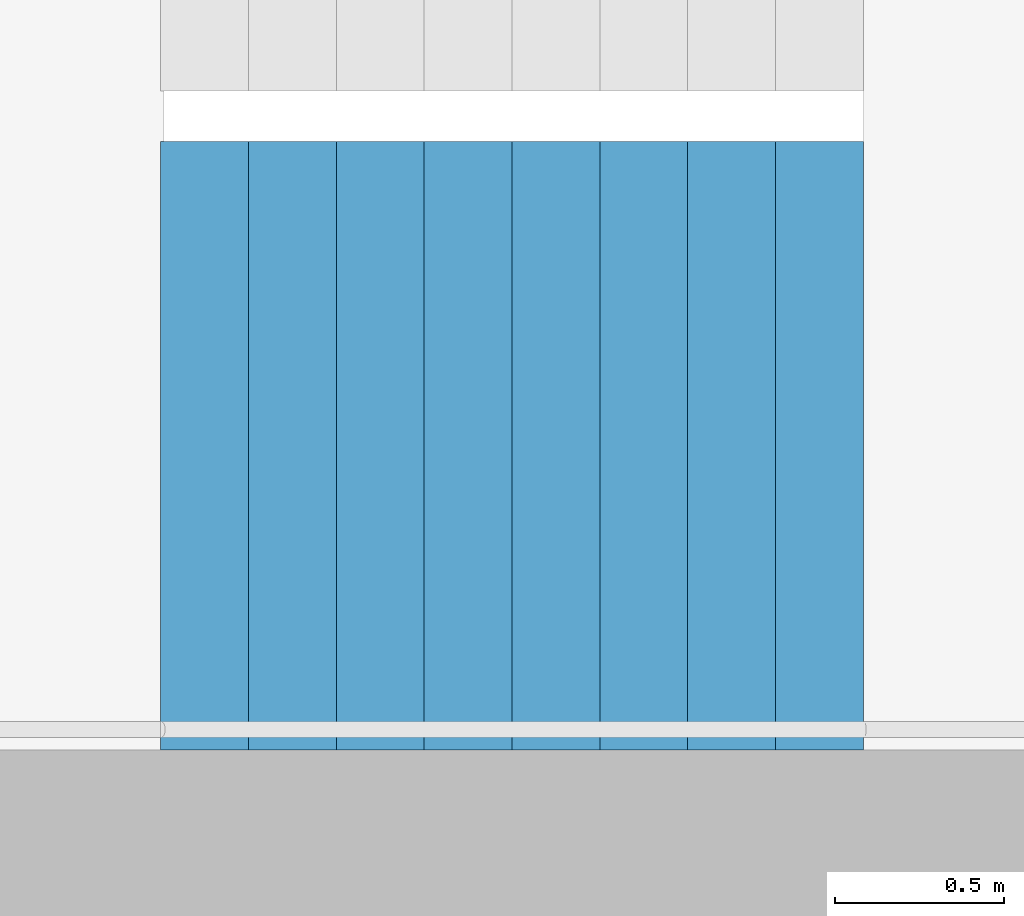
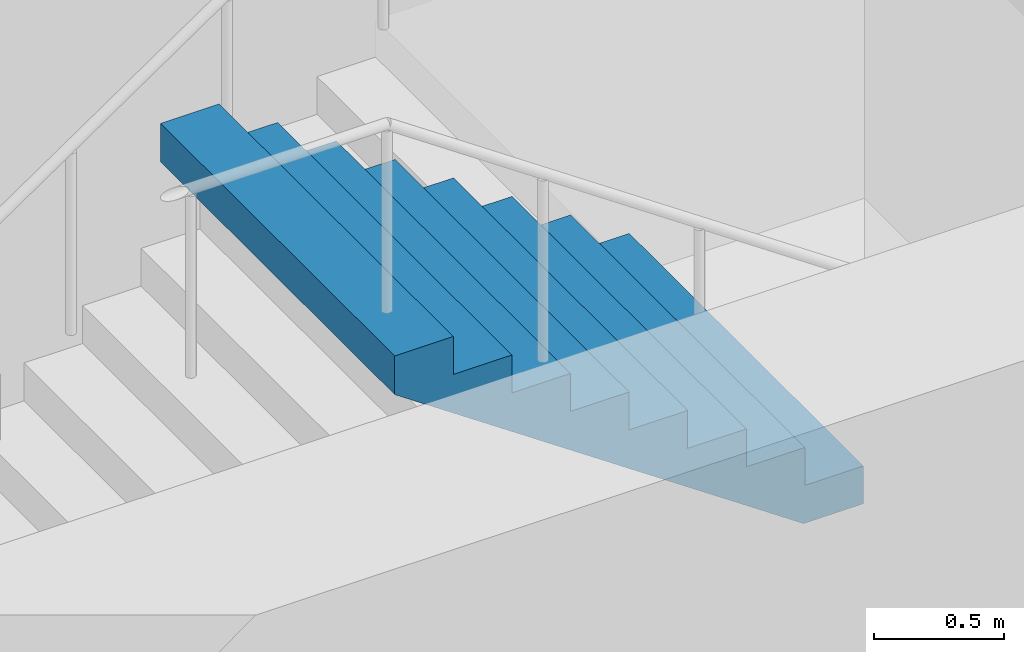
# One storey, part 22 of 30: 1 stair flight, 1 element without a shape of its own.
"""IFC4 building model written with IfcOpenShell, lengths in metres."""

import ifcopenshell
import ifcopenshell.guid

model = None  # the IFC model being written
_history = None  # IfcOwnerHistory: only IFC2X3 demands one
_inside = {}  # id of a spatial element -> (the spatial element, [elements in it])
_under = {}  # id of a project, library or spatial element -> (it, [spatial elements below it])
_declared = {}  # id of a project -> (the project, [libraries it declares])
_typed = {}  # id of a type object -> (the type object, [elements of that type])
_made_of = {}  # id of a material, layer set ... -> (it, [elements and type objects made of it])


def new_model(schema):
    """Start an empty IFC model of exactly this schema.

    Asked for "IFC4X3", IfcOpenShell would pick the latest addendum, in which some entities
    have other attributes; the version numbers below select the first issue.
    IFC2X3 requires an IfcOwnerHistory on every rooted entity: one is made here for all.
    """
    global model, _history
    if schema == "IFC4X3":
        model = ifcopenshell.file(schema_version=(4, 3, 0, 0))
    else:
        model = ifcopenshell.file(schema=schema)
    _inside.clear()
    _under.clear()
    _declared.clear()
    _typed.clear()
    _made_of.clear()
    _history = None
    if model.schema == "IFC2X3":
        org = make("IfcOrganization", Name="unknown")
        user = make(
            "IfcPersonAndOrganization",
            ThePerson=make("IfcPerson", FamilyName="unknown"),
            TheOrganization=org,
        )
        app = make(
            "IfcApplication",
            ApplicationDeveloper=org,
            Version="unknown",
            ApplicationFullName="unknown",
            ApplicationIdentifier="unknown",
        )
        _history = make(
            "IfcOwnerHistory",
            OwningUser=user,
            OwningApplication=app,
            ChangeAction="ADDED",
            CreationDate=0,
        )
    return model


def make(cls, **values):
    """One entity of the class cls with the attributes given. An attribute that is None is left unset."""
    return model.create_entity(
        cls, **{name: value for name, value in values.items() if value is not None}
    )


def rooted(cls, **values):
    """An entity with a GlobalId (a new one), such as an element, a storey or a relation."""
    return make(cls, GlobalId=ifcopenshell.guid.new(), OwnerHistory=_history, **values)


def si_unit(unit_type, name, prefix=None):
    """IfcSIUnit, for example si_unit("LENGTHUNIT", "METRE", prefix="MILLI")."""
    return make("IfcSIUnit", UnitType=unit_type, Prefix=prefix, Name=name)


def assignment(units):
    """IfcUnitAssignment: the units of a project."""
    return None if units is None else make("IfcUnitAssignment", Units=units)


def point(xyz):
    """IfcCartesianPoint."""
    return None if xyz is None else make("IfcCartesianPoint", Coordinates=xyz)


def direction(xyz):
    """IfcDirection."""
    return None if xyz is None else make("IfcDirection", DirectionRatios=xyz)


def frame(location, z_axis=None, x_axis=None):
    """IfcAxis2Placement3D, a coordinate frame: its origin and axes. An axis left out is left unset."""
    return make(
        "IfcAxis2Placement3D",
        Location=point(location),
        Axis=direction(z_axis),
        RefDirection=direction(x_axis),
    )


def origin():
    """The frame at (0, 0, 0) with its axes left unset."""
    return frame((0.0, 0.0, 0.0))


def place(relative_to, where):
    """IfcLocalPlacement: puts the frame where relative to a parent placement (None: the world)."""
    return make(
        "IfcLocalPlacement", PlacementRelTo=relative_to, RelativePlacement=where
    )


def context(
    kind, dimensions, precision=None, world=None, true_north=None, identifier=None
):
    """IfcGeometricRepresentationContext, for example the 3D "Model" context."""
    return make(
        "IfcGeometricRepresentationContext",
        ContextIdentifier=identifier,
        ContextType=kind,
        CoordinateSpaceDimension=dimensions,
        Precision=precision,
        WorldCoordinateSystem=world,
        TrueNorth=true_north,
    )


def subcontext(parent, identifier, kind, view, scale=None):
    """IfcGeometricRepresentationSubContext, for example "Body" below "Model"."""
    return make(
        "IfcGeometricRepresentationSubContext",
        ContextIdentifier=identifier,
        ContextType=kind,
        ParentContext=parent,
        TargetScale=scale,
        TargetView=view,
    )


def project(units=None, contexts=None):
    """IfcProject with its units and contexts."""
    return rooted(
        "IfcProject",
        Name="project",
        RepresentationContexts=contexts,
        UnitsInContext=assignment(units),
    )


def spatial(cls, under=None, at=None, **own):
    """A site, building, storey or space (cls), placed at a placement, below another one or the project."""
    s = rooted(cls, ObjectPlacement=at, **own)
    if under is not None:
        _under.setdefault(under.id(), (under, []))[1].append(s)
    return s


def point_list(points):
    """IfcCartesianPointList2D or 3D."""
    cls = (
        "IfcCartesianPointList2D" if len(points[0]) == 2 else "IfcCartesianPointList3D"
    )
    return make(cls, CoordList=points)


def triangles(points, corners, closed=None, point_numbers=None):
    """IfcTriangulatedFaceSet: each triangle names its three corners, points numbered from 1."""
    return make(
        "IfcTriangulatedFaceSet",
        Coordinates=point_list(points),
        Closed=closed,
        CoordIndex=corners,
        PnIndex=point_numbers,
    )


def shape(context_of_items, identifier, shape_type, items):
    """IfcShapeRepresentation: the items that make up one representation, for example the "Body"."""
    return make(
        "IfcShapeRepresentation",
        ContextOfItems=context_of_items,
        RepresentationIdentifier=identifier,
        RepresentationType=shape_type,
        Items=items,
    )


def material(Name=None, Category=None):
    """IfcMaterial."""
    return make("IfcMaterial", Name=Name, Category=Category)


def made_of(thing, what):
    """Note that an element or type object is made of a material, layer set ...; save() writes the relation."""
    if what is not None:
        _made_of.setdefault(what.id(), (what, []))[1].append(thing)
    return thing


def type_object(cls, material=None, **own):
    """A type object (cls), such as IfcWallType, which elements share."""
    return made_of(rooted(cls, **own), material)


def element(
    cls,
    number,
    at=None,
    inside=None,
    cuts=None,
    type_object=None,
    material=None,
    context=None,
    identifier="Body",
    shape_type=None,
    held_by="IfcProductDefinitionShape",
    body=None,
    shapes=None,
    **own,
):
    """One element of the class cls, such as IfcWall. Its Tag is "e" and its number.

    at: its placement. inside: the storey or other place that contains it. cuts: it is an
    opening in that element (IfcRelVoidsElement). A single representation is given by context,
    identifier, shape_type and body (its items); several are given by shapes. held_by: the class
    of the entity that holds the representations. save() writes the other relations.
    """
    e = rooted(cls, Tag="e%d" % number, ObjectPlacement=at, **own)
    if body is not None:
        shapes = [shape(context, identifier, shape_type, body)]
    if shapes is not None:
        e.Representation = make(held_by, Representations=shapes)
    if inside is not None:
        _inside.setdefault(inside.id(), (inside, []))[1].append(e)
    if cuts is not None:
        rooted(
            "IfcRelVoidsElement", RelatingBuildingElement=cuts, RelatedOpeningElement=e
        )
    if type_object is not None:
        _typed.setdefault(type_object.id(), (type_object, []))[1].append(e)
    return made_of(e, material)


def aggregate(whole, parts):
    """IfcRelAggregates: a whole, such as a stair, and the parts it consists of."""
    return rooted("IfcRelAggregates", RelatingObject=whole, RelatedObjects=parts)


def save(model, path):
    """Write the relations noted so far, then the file.

    IfcRelAggregates (storeys below a building ...), IfcRelContainedInSpatialStructure (elements
    in a storey), IfcRelDefinesByType, IfcRelAssociatesMaterial and IfcRelDeclares: one each for
    every whole, place, type object, material and project.
    """
    for whole, parts in _under.values():
        aggregate(whole, parts)
    for where, things in _inside.values():
        rooted(
            "IfcRelContainedInSpatialStructure",
            RelatedElements=things,
            RelatingStructure=where,
        )
    for kind, things in _typed.values():
        rooted("IfcRelDefinesByType", RelatedObjects=things, RelatingType=kind)
    for what, things in _made_of.values():
        rooted("IfcRelAssociatesMaterial", RelatedObjects=things, RelatingMaterial=what)
    for by, libraries in _declared.values():
        rooted("IfcRelDeclares", RelatingContext=by, RelatedDefinitions=libraries)
    model.write(path)


model = new_model("IFC4")

# Units and contexts
model_context = context("Model", 3, precision=1e-05, world=origin(), true_north=direction((0.0, 1.0)))
body_context = subcontext(model_context, "Body", "Model", "MODEL_VIEW")
ifc_project = project(units=[si_unit("LENGTHUNIT", "METRE"), si_unit("AREAUNIT", "SQUARE_METRE"), si_unit("VOLUMEUNIT", "CUBIC_METRE"), si_unit("PLANEANGLEUNIT", "RADIAN"), si_unit("MASSUNIT", "GRAM", prefix="KILO")], contexts=[model_context])

# Site, building, storey
site_placement = place(None, origin())
site = spatial("IfcSite", under=ifc_project, at=site_placement, CompositionType="ELEMENT")
building_placement = place(site_placement, origin())
building = spatial("IfcBuilding", under=site, at=building_placement, Name="Hakoniwa Tower and Hamabe Station Hall", CompositionType="ELEMENT")
storey_placement = place(building_placement, frame((0.0, 0.0, 245.39990234375)))
storey = spatial("IfcBuildingStorey", under=building, at=storey_placement, Name="L69", CompositionType="ELEMENT", Elevation=245.39990234375)

# Stair, stair flight
ifc_material_1 = material(Name="Concrete C40", Category="concrete")
stair_type = type_object("IfcStairType", Name="ESCAPE STAIR 1800", PredefinedType="HALF_TURN_STAIR", material=ifc_material_1)
stair_placement = place(storey_placement, origin())
stair = element("IfcStair", 1, at=stair_placement, inside=storey, type_object=stair_type, Name="Escape stair ST-4 L69", PredefinedType="HALF_TURN_STAIR")
ifc_material_2 = material(Name="Concrete C40", Category="concrete")
stair_flight_type = type_object("IfcStairFlightType", Name="STAIR FLIGHT 1800", PredefinedType="STRAIGHT", material=ifc_material_2)
stair_flight_placement = place(storey_placement, frame((25.47998046875, -6.60009765625, 1.60009765625), z_axis=(0.0, 0.0, 1.0), x_axis=(-1.0, 0.0, 0.0)))
stair_flight = element("IfcStairFlight", 2, at=stair_flight_placement, type_object=stair_flight_type, Name="ST-4 flight 2", NumberOfRisers=9, NumberOfTreads=8, PredefinedType="STRAIGHT", RiserHeight=0.177777778, TreadLength=0.26, context=body_context, shape_type="Tessellation", body=[
    triangles([(0.0, 0.89990234375, 0.0), (0.260009765625, 0.89990234375, 0.0), (0.265625, 0.89990234375, 0.0), (0.52001953125, 0.89990234375, 0.174072265625), (0.780029296875, 0.89990234375, 0.351806640625), (1.0400390625, 0.89990234375, 0.529541015625), (1.300048828125, 0.89990234375, 0.707275390625), (1.56005859375, 0.89990234375, 0.885009765625), (1.820068359375, 0.89990234375, 1.062744140625), (2.080078125, 0.89990234375, 1.24072265625), (2.080078125, 0.89990234375, 1.422119140625), (1.820068359375, 0.89990234375, 1.422119140625), (1.820068359375, 0.89990234375, 1.244384765625), (1.56005859375, 0.89990234375, 1.244384765625), (1.56005859375, 0.89990234375, 1.066650390625), (1.300048828125, 0.89990234375, 1.066650390625), (1.300048828125, 0.89990234375, 0.888916015625), (1.0400390625, 0.89990234375, 0.888916015625), (1.0400390625, 0.89990234375, 0.711181640625), (0.780029296875, 0.89990234375, 0.711181640625), (0.780029296875, 0.89990234375, 0.533447265625), (0.52001953125, 0.89990234375, 0.533447265625), (0.52001953125, 0.89990234375, 0.35546875), (0.265625, 0.89990234375, 0.35546875), (0.260009765625, 0.89990234375, 0.35546875), (0.260009765625, 0.89990234375, 0.177734375), (0.0, 0.89990234375, 0.177734375), (0.0, 0.06005859375, 0.0), (0.260009765625, 0.06005859375, 0.0), (0.265625, 0.06005859375, 0.0), (0.52001953125, 0.06005859375, 0.174072265625), (0.780029296875, 0.06005859375, 0.351806640625), (1.0400390625, 0.06005859375, 0.529541015625), (1.300048828125, 0.06005859375, 0.707275390625), (1.56005859375, 0.06005859375, 0.885009765625), (1.820068359375, 0.06005859375, 1.062744140625), (2.080078125, 0.06005859375, 1.24072265625), (2.080078125, 0.06005859375, 1.422119140625), (1.820068359375, 0.06005859375, 1.422119140625), (1.820068359375, 0.06005859375, 1.244384765625), (1.56005859375, 0.06005859375, 1.244384765625), (1.56005859375, 0.06005859375, 1.066650390625), (1.300048828125, 0.06005859375, 1.066650390625), (1.300048828125, 0.06005859375, 0.888916015625), (1.0400390625, 0.06005859375, 0.888916015625), (1.0400390625, 0.06005859375, 0.711181640625), (0.780029296875, 0.06005859375, 0.711181640625), (0.780029296875, 0.06005859375, 0.533447265625), (0.52001953125, 0.06005859375, 0.533447265625), (0.52001953125, 0.06005859375, 0.35546875), (0.265625, 0.06005859375, 0.35546875), (0.260009765625, 0.06005859375, 0.35546875), (0.260009765625, 0.06005859375, 0.177734375), (0.0, 0.06005859375, 0.177734375), (0.0, 0.04296875, 0.0), (0.260009765625, 0.04296875, 0.0), (0.265625, 0.04296875, 0.0), (0.52001953125, 0.04296875, 0.174072265625), (0.780029296875, 0.04296875, 0.351806640625), (1.0400390625, 0.04296875, 0.529541015625), (1.300048828125, 0.04296875, 0.707275390625), (1.56005859375, 0.04296875, 0.885009765625), (1.820068359375, 0.04296875, 1.062744140625), (2.080078125, 0.04296875, 1.24072265625), (2.080078125, 0.04296875, 1.422119140625), (1.820068359375, 0.04296875, 1.422119140625), (1.820068359375, 0.04296875, 1.244384765625), (1.56005859375, 0.04296875, 1.244384765625), (1.56005859375, 0.04296875, 1.066650390625), (1.300048828125, 0.04296875, 1.066650390625), (1.300048828125, 0.04296875, 0.888916015625), (1.0400390625, 0.04296875, 0.888916015625), (1.0400390625, 0.04296875, 0.711181640625), (0.780029296875, 0.04296875, 0.711181640625), (0.780029296875, 0.04296875, 0.533447265625), (0.52001953125, 0.04296875, 0.533447265625), (0.52001953125, 0.04296875, 0.35546875), (0.265625, 0.04296875, 0.35546875), (0.260009765625, 0.04296875, 0.35546875), (0.260009765625, 0.04296875, 0.177734375), (0.0, 0.04296875, 0.177734375), (0.0, 0.025634765625, 0.0), (0.260009765625, 0.025634765625, 0.0), (0.265625, 0.025634765625, 0.0), (0.52001953125, 0.025634765625, 0.174072265625), (0.780029296875, 0.025634765625, 0.351806640625), (1.0400390625, 0.025634765625, 0.529541015625), (1.300048828125, 0.025634765625, 0.707275390625), (1.56005859375, 0.025634765625, 0.885009765625), (1.820068359375, 0.025634765625, 1.062744140625), (2.080078125, 0.025634765625, 1.24072265625), (2.080078125, 0.025634765625, 1.422119140625), (1.820068359375, 0.025634765625, 1.422119140625), (1.820068359375, 0.025634765625, 1.244384765625), (1.56005859375, 0.025634765625, 1.244384765625), (1.56005859375, 0.025634765625, 1.066650390625), (1.300048828125, 0.025634765625, 1.066650390625), (1.300048828125, 0.025634765625, 0.888916015625), (1.0400390625, 0.025634765625, 0.888916015625), (1.0400390625, 0.025634765625, 0.711181640625), (0.780029296875, 0.025634765625, 0.711181640625), (0.780029296875, 0.025634765625, 0.533447265625), (0.52001953125, 0.025634765625, 0.533447265625), (0.52001953125, 0.025634765625, 0.35546875), (0.265625, 0.025634765625, 0.35546875), (0.260009765625, 0.025634765625, 0.35546875), (0.260009765625, 0.025634765625, 0.177734375), (0.0, 0.025634765625, 0.177734375), (0.0, 0.008544921875, 0.0), (0.260009765625, 0.008544921875, 0.0), (0.265625, 0.008544921875, 0.0), (0.52001953125, 0.008544921875, 0.174072265625), (0.780029296875, 0.008544921875, 0.351806640625), (1.0400390625, 0.008544921875, 0.529541015625), (1.300048828125, 0.008544921875, 0.707275390625), (1.56005859375, 0.008544921875, 0.885009765625), (1.820068359375, 0.008544921875, 1.062744140625), (2.080078125, 0.008544921875, 1.24072265625), (2.080078125, 0.008544921875, 1.422119140625), (1.820068359375, 0.008544921875, 1.422119140625), (1.820068359375, 0.008544921875, 1.244384765625), (1.56005859375, 0.008544921875, 1.244384765625), (1.56005859375, 0.008544921875, 1.066650390625), (1.300048828125, 0.008544921875, 1.066650390625), (1.300048828125, 0.008544921875, 0.888916015625), (1.0400390625, 0.008544921875, 0.888916015625), (1.0400390625, 0.008544921875, 0.711181640625), (0.780029296875, 0.008544921875, 0.711181640625), (0.780029296875, 0.008544921875, 0.533447265625), (0.52001953125, 0.008544921875, 0.533447265625), (0.52001953125, 0.008544921875, 0.35546875), (0.265625, 0.008544921875, 0.35546875), (0.260009765625, 0.008544921875, 0.35546875), (0.260009765625, 0.008544921875, 0.177734375), (0.0, 0.008544921875, 0.177734375), (0.0, -0.008544921875, 0.0), (0.260009765625, -0.008544921875, 0.0), (0.265625, -0.008544921875, 0.0), (0.52001953125, -0.008544921875, 0.174072265625), (0.780029296875, -0.008544921875, 0.351806640625), (1.0400390625, -0.008544921875, 0.529541015625), (1.300048828125, -0.008544921875, 0.707275390625), (1.56005859375, -0.008544921875, 0.885009765625), (1.820068359375, -0.008544921875, 1.062744140625), (2.080078125, -0.008544921875, 1.24072265625), (2.080078125, -0.008544921875, 1.422119140625), (1.820068359375, -0.008544921875, 1.422119140625), (1.820068359375, -0.008544921875, 1.244384765625), (1.56005859375, -0.008544921875, 1.244384765625), (1.56005859375, -0.008544921875, 1.066650390625), (1.300048828125, -0.008544921875, 1.066650390625), (1.300048828125, -0.008544921875, 0.888916015625), (1.0400390625, -0.008544921875, 0.888916015625), (1.0400390625, -0.008544921875, 0.711181640625), (0.780029296875, -0.008544921875, 0.711181640625), (0.780029296875, -0.008544921875, 0.533447265625), (0.52001953125, -0.008544921875, 0.533447265625), (0.52001953125, -0.008544921875, 0.35546875), (0.265625, -0.008544921875, 0.35546875), (0.260009765625, -0.008544921875, 0.35546875), (0.260009765625, -0.008544921875, 0.177734375), (0.0, -0.008544921875, 0.177734375), (0.0, -0.025634765625, 0.0), (0.260009765625, -0.025634765625, 0.0), (0.265625, -0.025634765625, 0.0), (0.52001953125, -0.025634765625, 0.174072265625), (0.780029296875, -0.025634765625, 0.351806640625), (1.0400390625, -0.025634765625, 0.529541015625), (1.300048828125, -0.025634765625, 0.707275390625), (1.56005859375, -0.025634765625, 0.885009765625), (1.820068359375, -0.025634765625, 1.062744140625), (2.080078125, -0.025634765625, 1.24072265625), (2.080078125, -0.025634765625, 1.422119140625), (1.820068359375, -0.025634765625, 1.422119140625), (1.820068359375, -0.025634765625, 1.244384765625), (1.56005859375, -0.025634765625, 1.244384765625), (1.56005859375, -0.025634765625, 1.066650390625), (1.300048828125, -0.025634765625, 1.066650390625), (1.300048828125, -0.025634765625, 0.888916015625), (1.0400390625, -0.025634765625, 0.888916015625), (1.0400390625, -0.025634765625, 0.711181640625), (0.780029296875, -0.025634765625, 0.711181640625), (0.780029296875, -0.025634765625, 0.533447265625), (0.52001953125, -0.025634765625, 0.533447265625), (0.52001953125, -0.025634765625, 0.35546875), (0.265625, -0.025634765625, 0.35546875), (0.260009765625, -0.025634765625, 0.35546875), (0.260009765625, -0.025634765625, 0.177734375), (0.0, -0.025634765625, 0.177734375), (0.0, -0.04296875, 0.0), (0.260009765625, -0.04296875, 0.0), (0.265625, -0.04296875, 0.0), (0.52001953125, -0.04296875, 0.174072265625), (0.780029296875, -0.04296875, 0.351806640625), (1.0400390625, -0.04296875, 0.529541015625), (1.300048828125, -0.04296875, 0.707275390625), (1.56005859375, -0.04296875, 0.885009765625), (1.820068359375, -0.04296875, 1.062744140625), (2.080078125, -0.04296875, 1.24072265625), (2.080078125, -0.04296875, 1.422119140625), (1.820068359375, -0.04296875, 1.422119140625), (1.820068359375, -0.04296875, 1.244384765625), (1.56005859375, -0.04296875, 1.244384765625), (1.56005859375, -0.04296875, 1.066650390625), (1.300048828125, -0.04296875, 1.066650390625), (1.300048828125, -0.04296875, 0.888916015625), (1.0400390625, -0.04296875, 0.888916015625), (1.0400390625, -0.04296875, 0.711181640625), (0.780029296875, -0.04296875, 0.711181640625), (0.780029296875, -0.04296875, 0.533447265625), (0.52001953125, -0.04296875, 0.533447265625), (0.52001953125, -0.04296875, 0.35546875), (0.265625, -0.04296875, 0.35546875), (0.260009765625, -0.04296875, 0.35546875), (0.260009765625, -0.04296875, 0.177734375), (0.0, -0.04296875, 0.177734375), (0.0, -0.06005859375, 0.0), (0.260009765625, -0.06005859375, 0.0), (0.265625, -0.06005859375, 0.0), (0.52001953125, -0.06005859375, 0.174072265625), (0.780029296875, -0.06005859375, 0.351806640625), (1.0400390625, -0.06005859375, 0.529541015625), (1.300048828125, -0.06005859375, 0.707275390625), (1.56005859375, -0.06005859375, 0.885009765625), (1.820068359375, -0.06005859375, 1.062744140625), (2.080078125, -0.06005859375, 1.24072265625), (2.080078125, -0.06005859375, 1.422119140625), (1.820068359375, -0.06005859375, 1.422119140625), (1.820068359375, -0.06005859375, 1.244384765625), (1.56005859375, -0.06005859375, 1.244384765625), (1.56005859375, -0.06005859375, 1.066650390625), (1.300048828125, -0.06005859375, 1.066650390625), (1.300048828125, -0.06005859375, 0.888916015625), (1.0400390625, -0.06005859375, 0.888916015625), (1.0400390625, -0.06005859375, 0.711181640625), (0.780029296875, -0.06005859375, 0.711181640625), (0.780029296875, -0.06005859375, 0.533447265625), (0.52001953125, -0.06005859375, 0.533447265625), (0.52001953125, -0.06005859375, 0.35546875), (0.265625, -0.06005859375, 0.35546875), (0.260009765625, -0.06005859375, 0.35546875), (0.260009765625, -0.06005859375, 0.177734375), (0.0, -0.06005859375, 0.177734375), (0.0, -0.89990234375, 0.0), (0.260009765625, -0.89990234375, 0.0), (0.265625, -0.89990234375, 0.0), (0.52001953125, -0.89990234375, 0.174072265625), (0.780029296875, -0.89990234375, 0.351806640625), (1.0400390625, -0.89990234375, 0.529541015625), (1.300048828125, -0.89990234375, 0.707275390625), (1.56005859375, -0.89990234375, 0.885009765625), (1.820068359375, -0.89990234375, 1.062744140625), (2.080078125, -0.89990234375, 1.24072265625), (2.080078125, -0.89990234375, 1.422119140625), (1.820068359375, -0.89990234375, 1.422119140625), (1.820068359375, -0.89990234375, 1.244384765625), (1.56005859375, -0.89990234375, 1.244384765625), (1.56005859375, -0.89990234375, 1.066650390625), (1.300048828125, -0.89990234375, 1.066650390625), (1.300048828125, -0.89990234375, 0.888916015625), (1.0400390625, -0.89990234375, 0.888916015625), (1.0400390625, -0.89990234375, 0.711181640625), (0.780029296875, -0.89990234375, 0.711181640625), (0.780029296875, -0.89990234375, 0.533447265625), (0.52001953125, -0.89990234375, 0.533447265625), (0.52001953125, -0.89990234375, 0.35546875), (0.265625, -0.89990234375, 0.35546875), (0.260009765625, -0.89990234375, 0.35546875), (0.260009765625, -0.89990234375, 0.177734375), (0.0, -0.89990234375, 0.177734375)], [[2, 27, 26], [245, 269, 270], [2, 1, 27], [245, 270, 244], [3, 25, 24], [246, 267, 268], [3, 26, 25], [246, 268, 269], [3, 2, 26], [246, 269, 245], [4, 24, 23], [247, 266, 267], [4, 3, 24], [247, 267, 246], [5, 22, 21], [248, 264, 265], [5, 23, 22], [248, 265, 266], [5, 4, 23], [248, 266, 247], [6, 20, 19], [249, 262, 263], [6, 21, 20], [249, 263, 264], [6, 5, 21], [249, 264, 248], [7, 18, 17], [250, 260, 261], [7, 19, 18], [250, 261, 262], [7, 6, 19], [250, 262, 249], [8, 16, 15], [251, 258, 259], [8, 17, 16], [251, 259, 260], [8, 7, 17], [251, 260, 250], [9, 14, 13], [252, 256, 257], [9, 15, 14], [252, 257, 258], [9, 8, 15], [252, 258, 251], [10, 12, 11], [253, 254, 255], [10, 13, 12], [253, 255, 256], [10, 9, 13], [253, 256, 252], [1, 2, 29], [1, 29, 28], [28, 29, 56], [28, 56, 55], [55, 56, 83], [55, 83, 82], [82, 83, 110], [82, 110, 109], [109, 110, 137], [109, 137, 136], [136, 137, 164], [136, 164, 163], [163, 164, 191], [163, 191, 190], [190, 191, 218], [190, 218, 217], [217, 218, 245], [217, 245, 244], [2, 3, 30], [2, 30, 29], [29, 30, 57], [29, 57, 56], [56, 57, 84], [56, 84, 83], [83, 84, 111], [83, 111, 110], [110, 111, 138], [110, 138, 137], [137, 138, 165], [137, 165, 164], [164, 165, 192], [164, 192, 191], [191, 192, 219], [191, 219, 218], [218, 219, 246], [218, 246, 245], [3, 4, 31], [3, 31, 30], [30, 31, 58], [30, 58, 57], [57, 58, 85], [57, 85, 84], [84, 85, 112], [84, 112, 111], [111, 112, 139], [111, 139, 138], [138, 139, 166], [138, 166, 165], [165, 166, 193], [165, 193, 192], [192, 193, 220], [192, 220, 219], [219, 220, 247], [219, 247, 246], [4, 5, 32], [4, 32, 31], [31, 32, 59], [31, 59, 58], [58, 59, 86], [58, 86, 85], [85, 86, 113], [85, 113, 112], [112, 113, 140], [112, 140, 139], [139, 140, 167], [139, 167, 166], [166, 167, 194], [166, 194, 193], [193, 194, 221], [193, 221, 220], [220, 221, 248], [220, 248, 247], [5, 6, 33], [5, 33, 32], [32, 33, 60], [32, 60, 59], [59, 60, 87], [59, 87, 86], [86, 87, 114], [86, 114, 113], [113, 114, 141], [113, 141, 140], [140, 141, 168], [140, 168, 167], [167, 168, 195], [167, 195, 194], [194, 195, 222], [194, 222, 221], [221, 222, 249], [221, 249, 248], [6, 7, 34], [6, 34, 33], [33, 34, 61], [33, 61, 60], [60, 61, 88], [60, 88, 87], [87, 88, 115], [87, 115, 114], [114, 115, 142], [114, 142, 141], [141, 142, 169], [141, 169, 168], [168, 169, 196], [168, 196, 195], [195, 196, 223], [195, 223, 222], [222, 223, 250], [222, 250, 249], [7, 8, 35], [7, 35, 34], [34, 35, 62], [34, 62, 61], [61, 62, 89], [61, 89, 88], [88, 89, 116], [88, 116, 115], [115, 116, 143], [115, 143, 142], [142, 143, 170], [142, 170, 169], [169, 170, 197], [169, 197, 196], [196, 197, 224], [196, 224, 223], [223, 224, 251], [223, 251, 250], [8, 9, 36], [8, 36, 35], [35, 36, 63], [35, 63, 62], [62, 63, 90], [62, 90, 89], [89, 90, 117], [89, 117, 116], [116, 117, 144], [116, 144, 143], [143, 144, 171], [143, 171, 170], [170, 171, 198], [170, 198, 197], [197, 198, 225], [197, 225, 224], [224, 225, 252], [224, 252, 251], [9, 10, 37], [9, 37, 36], [36, 37, 64], [36, 64, 63], [63, 64, 91], [63, 91, 90], [90, 91, 118], [90, 118, 117], [117, 118, 145], [117, 145, 144], [144, 145, 172], [144, 172, 171], [171, 172, 199], [171, 199, 198], [198, 199, 226], [198, 226, 225], [225, 226, 253], [225, 253, 252], [10, 11, 38], [10, 38, 37], [37, 38, 65], [37, 65, 64], [64, 65, 92], [64, 92, 91], [91, 92, 119], [91, 119, 118], [118, 119, 146], [118, 146, 145], [145, 146, 173], [145, 173, 172], [172, 173, 200], [172, 200, 199], [199, 200, 227], [199, 227, 226], [226, 227, 254], [226, 254, 253], [11, 12, 39], [11, 39, 38], [38, 39, 66], [38, 66, 65], [65, 66, 93], [65, 93, 92], [92, 93, 120], [92, 120, 119], [119, 120, 147], [119, 147, 146], [146, 147, 174], [146, 174, 173], [173, 174, 201], [173, 201, 200], [200, 201, 228], [200, 228, 227], [227, 228, 255], [227, 255, 254], [12, 13, 40], [12, 40, 39], [39, 40, 67], [39, 67, 66], [66, 67, 94], [66, 94, 93], [93, 94, 121], [93, 121, 120], [120, 121, 148], [120, 148, 147], [147, 148, 175], [147, 175, 174], [174, 175, 202], [174, 202, 201], [201, 202, 229], [201, 229, 228], [228, 229, 256], [228, 256, 255], [13, 14, 41], [13, 41, 40], [40, 41, 68], [40, 68, 67], [67, 68, 95], [67, 95, 94], [94, 95, 122], [94, 122, 121], [121, 122, 149], [121, 149, 148], [148, 149, 176], [148, 176, 175], [175, 176, 203], [175, 203, 202], [202, 203, 230], [202, 230, 229], [229, 230, 257], [229, 257, 256], [14, 15, 42], [14, 42, 41], [41, 42, 69], [41, 69, 68], [68, 69, 96], [68, 96, 95], [95, 96, 123], [95, 123, 122], [122, 123, 150], [122, 150, 149], [149, 150, 177], [149, 177, 176], [176, 177, 204], [176, 204, 203], [203, 204, 231], [203, 231, 230], [230, 231, 258], [230, 258, 257], [15, 16, 43], [15, 43, 42], [42, 43, 70], [42, 70, 69], [69, 70, 97], [69, 97, 96], [96, 97, 124], [96, 124, 123], [123, 124, 151], [123, 151, 150], [150, 151, 178], [150, 178, 177], [177, 178, 205], [177, 205, 204], [204, 205, 232], [204, 232, 231], [231, 232, 259], [231, 259, 258], [16, 17, 44], [16, 44, 43], [43, 44, 71], [43, 71, 70], [70, 71, 98], [70, 98, 97], [97, 98, 125], [97, 125, 124], [124, 125, 152], [124, 152, 151], [151, 152, 179], [151, 179, 178], [178, 179, 206], [178, 206, 205], [205, 206, 233], [205, 233, 232], [232, 233, 260], [232, 260, 259], [17, 18, 45], [17, 45, 44], [44, 45, 72], [44, 72, 71], [71, 72, 99], [71, 99, 98], [98, 99, 126], [98, 126, 125], [125, 126, 153], [125, 153, 152], [152, 153, 180], [152, 180, 179], [179, 180, 207], [179, 207, 206], [206, 207, 234], [206, 234, 233], [233, 234, 261], [233, 261, 260], [18, 19, 46], [18, 46, 45], [45, 46, 73], [45, 73, 72], [72, 73, 100], [72, 100, 99], [99, 100, 127], [99, 127, 126], [126, 127, 154], [126, 154, 153], [153, 154, 181], [153, 181, 180], [180, 181, 208], [180, 208, 207], [207, 208, 235], [207, 235, 234], [234, 235, 262], [234, 262, 261], [19, 20, 47], [19, 47, 46], [46, 47, 74], [46, 74, 73], [73, 74, 101], [73, 101, 100], [100, 101, 128], [100, 128, 127], [127, 128, 155], [127, 155, 154], [154, 155, 182], [154, 182, 181], [181, 182, 209], [181, 209, 208], [208, 209, 236], [208, 236, 235], [235, 236, 263], [235, 263, 262], [20, 21, 48], [20, 48, 47], [47, 48, 75], [47, 75, 74], [74, 75, 102], [74, 102, 101], [101, 102, 129], [101, 129, 128], [128, 129, 156], [128, 156, 155], [155, 156, 183], [155, 183, 182], [182, 183, 210], [182, 210, 209], [209, 210, 237], [209, 237, 236], [236, 237, 264], [236, 264, 263], [21, 22, 49], [21, 49, 48], [48, 49, 76], [48, 76, 75], [75, 76, 103], [75, 103, 102], [102, 103, 130], [102, 130, 129], [129, 130, 157], [129, 157, 156], [156, 157, 184], [156, 184, 183], [183, 184, 211], [183, 211, 210], [210, 211, 238], [210, 238, 237], [237, 238, 265], [237, 265, 264], [22, 23, 50], [22, 50, 49], [49, 50, 77], [49, 77, 76], [76, 77, 104], [76, 104, 103], [103, 104, 131], [103, 131, 130], [130, 131, 158], [130, 158, 157], [157, 158, 185], [157, 185, 184], [184, 185, 212], [184, 212, 211], [211, 212, 239], [211, 239, 238], [238, 239, 266], [238, 266, 265], [23, 24, 51], [23, 51, 50], [50, 51, 78], [50, 78, 77], [77, 78, 105], [77, 105, 104], [104, 105, 132], [104, 132, 131], [131, 132, 159], [131, 159, 158], [158, 159, 186], [158, 186, 185], [185, 186, 213], [185, 213, 212], [212, 213, 240], [212, 240, 239], [239, 240, 267], [239, 267, 266], [24, 25, 52], [24, 52, 51], [51, 52, 79], [51, 79, 78], [78, 79, 106], [78, 106, 105], [105, 106, 133], [105, 133, 132], [132, 133, 160], [132, 160, 159], [159, 160, 187], [159, 187, 186], [186, 187, 214], [186, 214, 213], [213, 214, 241], [213, 241, 240], [240, 241, 268], [240, 268, 267], [25, 26, 53], [25, 53, 52], [52, 53, 80], [52, 80, 79], [79, 80, 107], [79, 107, 106], [106, 107, 134], [106, 134, 133], [133, 134, 161], [133, 161, 160], [160, 161, 188], [160, 188, 187], [187, 188, 215], [187, 215, 214], [214, 215, 242], [214, 242, 241], [241, 242, 269], [241, 269, 268], [26, 27, 54], [26, 54, 53], [53, 54, 81], [53, 81, 80], [80, 81, 108], [80, 108, 107], [107, 108, 135], [107, 135, 134], [134, 135, 162], [134, 162, 161], [161, 162, 189], [161, 189, 188], [188, 189, 216], [188, 216, 215], [215, 216, 243], [215, 243, 242], [242, 243, 270], [242, 270, 269], [27, 1, 28], [27, 28, 54], [54, 28, 55], [54, 55, 81], [81, 55, 82], [81, 82, 108], [108, 82, 109], [108, 109, 135], [135, 109, 136], [135, 136, 162], [162, 136, 163], [162, 163, 189], [189, 163, 190], [189, 190, 216], [216, 190, 217], [216, 217, 243], [243, 217, 244], [243, 244, 270]], closed=True),
])
aggregate(stair, [stair_flight])

save(model, "model.ifc")
